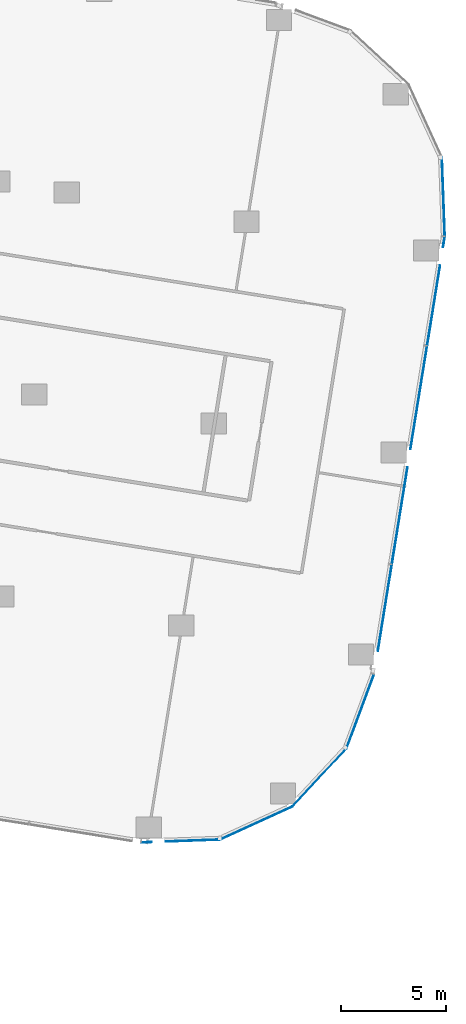
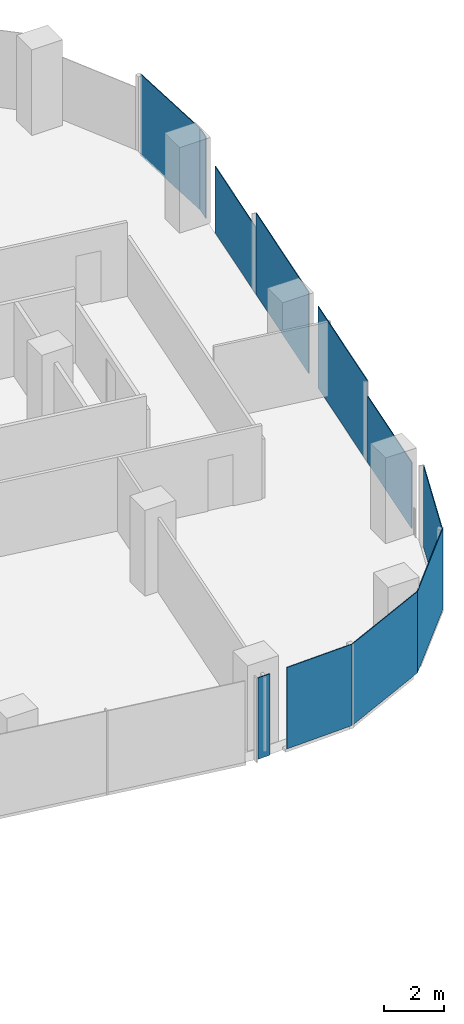
# One storey, part 22 of 34: 11 plates, 6 elements without a shape of their own.
"""IFC4 building model written with IfcOpenShell, lengths in metres."""

import ifcopenshell
import ifcopenshell.guid

model = None  # the IFC model being written
_history = None  # IfcOwnerHistory: only IFC2X3 demands one
_inside = {}  # id of a spatial element -> (the spatial element, [elements in it])
_under = {}  # id of a project, library or spatial element -> (it, [spatial elements below it])
_declared = {}  # id of a project -> (the project, [libraries it declares])
_typed = {}  # id of a type object -> (the type object, [elements of that type])
_made_of = {}  # id of a material, layer set ... -> (it, [elements and type objects made of it])


def new_model(schema):
    """Start an empty IFC model of exactly this schema.

    Asked for "IFC4X3", IfcOpenShell would pick the latest addendum, in which some entities
    have other attributes; the version numbers below select the first issue.
    IFC2X3 requires an IfcOwnerHistory on every rooted entity: one is made here for all.
    """
    global model, _history
    if schema == "IFC4X3":
        model = ifcopenshell.file(schema_version=(4, 3, 0, 0))
    else:
        model = ifcopenshell.file(schema=schema)
    _inside.clear()
    _under.clear()
    _declared.clear()
    _typed.clear()
    _made_of.clear()
    _history = None
    if model.schema == "IFC2X3":
        org = make("IfcOrganization", Name="unknown")
        user = make(
            "IfcPersonAndOrganization",
            ThePerson=make("IfcPerson", FamilyName="unknown"),
            TheOrganization=org,
        )
        app = make(
            "IfcApplication",
            ApplicationDeveloper=org,
            Version="unknown",
            ApplicationFullName="unknown",
            ApplicationIdentifier="unknown",
        )
        _history = make(
            "IfcOwnerHistory",
            OwningUser=user,
            OwningApplication=app,
            ChangeAction="ADDED",
            CreationDate=0,
        )
    return model


def make(cls, **values):
    """One entity of the class cls with the attributes given. An attribute that is None is left unset."""
    return model.create_entity(
        cls, **{name: value for name, value in values.items() if value is not None}
    )


def rooted(cls, **values):
    """An entity with a GlobalId (a new one), such as an element, a storey or a relation."""
    return make(cls, GlobalId=ifcopenshell.guid.new(), OwnerHistory=_history, **values)


def si_unit(unit_type, name, prefix=None):
    """IfcSIUnit, for example si_unit("LENGTHUNIT", "METRE", prefix="MILLI")."""
    return make("IfcSIUnit", UnitType=unit_type, Prefix=prefix, Name=name)


def assignment(units):
    """IfcUnitAssignment: the units of a project."""
    return None if units is None else make("IfcUnitAssignment", Units=units)


def point(xyz):
    """IfcCartesianPoint."""
    return None if xyz is None else make("IfcCartesianPoint", Coordinates=xyz)


def direction(xyz):
    """IfcDirection."""
    return None if xyz is None else make("IfcDirection", DirectionRatios=xyz)


def frame(location, z_axis=None, x_axis=None):
    """IfcAxis2Placement3D, a coordinate frame: its origin and axes. An axis left out is left unset."""
    return make(
        "IfcAxis2Placement3D",
        Location=point(location),
        Axis=direction(z_axis),
        RefDirection=direction(x_axis),
    )


def frame_2d(location, x_axis=None):
    """IfcAxis2Placement2D, a coordinate frame in the plane: its origin and x axis."""
    return make(
        "IfcAxis2Placement2D", Location=point(location), RefDirection=direction(x_axis)
    )


def origin():
    """The frame at (0, 0, 0) with its axes left unset."""
    return frame((0.0, 0.0, 0.0))


def origin_2d():
    """The frame at (0, 0) in the plane with its x axis left unset."""
    return frame_2d((0.0, 0.0))


def place(relative_to, where):
    """IfcLocalPlacement: puts the frame where relative to a parent placement (None: the world)."""
    return make(
        "IfcLocalPlacement", PlacementRelTo=relative_to, RelativePlacement=where
    )


def context(
    kind, dimensions, precision=None, world=None, true_north=None, identifier=None
):
    """IfcGeometricRepresentationContext, for example the 3D "Model" context."""
    return make(
        "IfcGeometricRepresentationContext",
        ContextIdentifier=identifier,
        ContextType=kind,
        CoordinateSpaceDimension=dimensions,
        Precision=precision,
        WorldCoordinateSystem=world,
        TrueNorth=true_north,
    )


def subcontext(parent, identifier, kind, view, scale=None):
    """IfcGeometricRepresentationSubContext, for example "Body" below "Model"."""
    return make(
        "IfcGeometricRepresentationSubContext",
        ContextIdentifier=identifier,
        ContextType=kind,
        ParentContext=parent,
        TargetScale=scale,
        TargetView=view,
    )


def project(units=None, contexts=None):
    """IfcProject with its units and contexts."""
    return rooted(
        "IfcProject",
        Name="project",
        RepresentationContexts=contexts,
        UnitsInContext=assignment(units),
    )


def spatial(cls, under=None, at=None, **own):
    """A site, building, storey or space (cls), placed at a placement, below another one or the project."""
    s = rooted(cls, ObjectPlacement=at, **own)
    if under is not None:
        _under.setdefault(under.id(), (under, []))[1].append(s)
    return s


def profile(cls, at=None, kind="AREA", **sizes):
    """A parametric profile (cls). Its sizes go by their IFC names, for example OverallWidth=200.0."""
    return make(cls, ProfileType=kind, Position=at, **sizes)


def rectangle(**sizes):
    """IfcRectangleProfileDef."""
    return profile("IfcRectangleProfileDef", **sizes)


def extrude(swept, where, along, depth):
    """IfcExtrudedAreaSolid: the profile swept, set in the frame where, extruded along a direction by depth."""
    return make(
        "IfcExtrudedAreaSolid",
        SweptArea=swept,
        Position=where,
        ExtrudedDirection=direction(along),
        Depth=depth,
    )


def shape(context_of_items, identifier, shape_type, items):
    """IfcShapeRepresentation: the items that make up one representation, for example the "Body"."""
    return make(
        "IfcShapeRepresentation",
        ContextOfItems=context_of_items,
        RepresentationIdentifier=identifier,
        RepresentationType=shape_type,
        Items=items,
    )


def material(Name=None, Category=None):
    """IfcMaterial."""
    return make("IfcMaterial", Name=Name, Category=Category)


def layer(
    of_material, thickness, ventilated=None, Name=None, Category=None, Priority=None
):
    """IfcMaterialLayer: one layer of a wall or slab, of a material (None: an air gap)."""
    return make(
        "IfcMaterialLayer",
        Material=of_material,
        LayerThickness=thickness,
        IsVentilated=ventilated,
        Name=Name,
        Category=Category,
        Priority=Priority,
    )


def layer_set(layers, Name=None):
    """IfcMaterialLayerSet."""
    return make("IfcMaterialLayerSet", MaterialLayers=layers, LayerSetName=Name)


def made_of(thing, what):
    """Note that an element or type object is made of a material, layer set ...; save() writes the relation."""
    if what is not None:
        _made_of.setdefault(what.id(), (what, []))[1].append(thing)
    return thing


def type_object(cls, material=None, **own):
    """A type object (cls), such as IfcWallType, which elements share."""
    return made_of(rooted(cls, **own), material)


def element(
    cls,
    number,
    at=None,
    inside=None,
    cuts=None,
    type_object=None,
    material=None,
    context=None,
    identifier="Body",
    shape_type=None,
    held_by="IfcProductDefinitionShape",
    body=None,
    shapes=None,
    **own,
):
    """One element of the class cls, such as IfcWall. Its Tag is "e" and its number.

    at: its placement. inside: the storey or other place that contains it. cuts: it is an
    opening in that element (IfcRelVoidsElement). A single representation is given by context,
    identifier, shape_type and body (its items); several are given by shapes. held_by: the class
    of the entity that holds the representations. save() writes the other relations.
    """
    e = rooted(cls, Tag="e%d" % number, ObjectPlacement=at, **own)
    if body is not None:
        shapes = [shape(context, identifier, shape_type, body)]
    if shapes is not None:
        e.Representation = make(held_by, Representations=shapes)
    if inside is not None:
        _inside.setdefault(inside.id(), (inside, []))[1].append(e)
    if cuts is not None:
        rooted(
            "IfcRelVoidsElement", RelatingBuildingElement=cuts, RelatedOpeningElement=e
        )
    if type_object is not None:
        _typed.setdefault(type_object.id(), (type_object, []))[1].append(e)
    return made_of(e, material)


def aggregate(whole, parts):
    """IfcRelAggregates: a whole, such as a stair, and the parts it consists of."""
    return rooted("IfcRelAggregates", RelatingObject=whole, RelatedObjects=parts)


def save(model, path):
    """Write the relations noted so far, then the file.

    IfcRelAggregates (storeys below a building ...), IfcRelContainedInSpatialStructure (elements
    in a storey), IfcRelDefinesByType, IfcRelAssociatesMaterial and IfcRelDeclares: one each for
    every whole, place, type object, material and project.
    """
    for whole, parts in _under.values():
        aggregate(whole, parts)
    for where, things in _inside.values():
        rooted(
            "IfcRelContainedInSpatialStructure",
            RelatedElements=things,
            RelatingStructure=where,
        )
    for kind, things in _typed.values():
        rooted("IfcRelDefinesByType", RelatedObjects=things, RelatingType=kind)
    for what, things in _made_of.values():
        rooted("IfcRelAssociatesMaterial", RelatedObjects=things, RelatingMaterial=what)
    for by, libraries in _declared.values():
        rooted("IfcRelDeclares", RelatingContext=by, RelatedDefinitions=libraries)
    model.write(path)


model = new_model("IFC4")

# Units and contexts
model_context = context("Model", 3, precision=1e-05, world=origin(), true_north=direction((0.0, 1.0)))
body_context = subcontext(model_context, "Body", "Model", "MODEL_VIEW")
ifc_project = project(units=[si_unit("LENGTHUNIT", "METRE"), si_unit("AREAUNIT", "SQUARE_METRE"), si_unit("VOLUMEUNIT", "CUBIC_METRE"), si_unit("PLANEANGLEUNIT", "RADIAN"), si_unit("MASSUNIT", "GRAM", prefix="KILO")], contexts=[model_context])

# Site, building, storey
site_placement = place(None, origin())
site = spatial("IfcSite", under=ifc_project, at=site_placement, CompositionType="ELEMENT")
building_placement = place(site_placement, origin())
building = spatial("IfcBuilding", under=site, at=building_placement, Name="Orlundy Tower", CompositionType="ELEMENT")
storey_placement = place(building_placement, frame((0.0, 0.0, 137.699951171875)))
storey = spatial("IfcBuildingStorey", under=building, at=storey_placement, Name="L35", CompositionType="ELEMENT", Elevation=137.699951171875)

# Curtain wall, plate
ifc_material_1 = material(Name="Aluminium bronze anodised", Category="aluminium")
curtain_wall_type = type_object("IfcCurtainWallType", Name="CW1 wall", PredefinedType="NOTDEFINED", material=ifc_material_1)
curtain_wall_1_placement = place(storey_placement, origin())
curtain_wall_1 = element("IfcCurtainWall", 1, at=curtain_wall_1_placement, inside=storey, type_object=curtain_wall_type, Name="CW1 run 010", PredefinedType="NOTDEFINED")
ifc_material_2 = material(Name="Tinted glass", Category="glass")
ifc_layer = layer(ifc_material_2, 0.031982421875)
ifc_layer_set = layer_set([ifc_layer], Name="CW1 glass panel 32")
plate_type = type_object("IfcPlateType", Name="CW1 glass panel 32", PredefinedType="CURTAIN_PANEL", material=ifc_layer_set)
plate_1_placement = place(storey_placement, frame((60.508544921875, 2.765625, -0.280029296875), z_axis=(0.0, 0.0, 1.0), x_axis=(0.036422900353, -0.999336466026, 0.0)))
plate_1 = element("IfcPlate", 2, at=plate_1_placement, type_object=plate_type, Name="CW1 panel", PredefinedType="CURTAIN_PANEL", context=body_context, shape_type="SweptSolid", body=[
    extrude(rectangle(XDim=3.730224609375, YDim=0.031982421875, at=origin_2d()), origin(), (0.0, 0.0, 1.0), 3.330078125),
])
aggregate(curtain_wall_1, [plate_1])

# Curtain wall, plates
curtain_wall_2_placement = place(storey_placement, origin())
curtain_wall_2 = element("IfcCurtainWall", 3, at=curtain_wall_2_placement, inside=storey, type_object=curtain_wall_type, Name="CW1 run 011", PredefinedType="NOTDEFINED")
plate_2_placement = place(storey_placement, frame((60.533203125, 0.602783203125, -0.280029296875), z_axis=(0.0, 0.0, 1.0), x_axis=(-0.159331248677, -0.987225178566, 0.0)))
plate_2 = element("IfcPlate", 4, at=plate_2_placement, type_object=plate_type, Name="CW1 panel", PredefinedType="CURTAIN_PANEL", context=body_context, shape_type="SweptSolid", body=[
    extrude(rectangle(XDim=0.505126953125, YDim=0.031982421875, at=origin_2d()), origin(), (0.0, 0.0, 1.0), 3.330078125),
])
plate_3_placement = place(storey_placement, frame((60.04833984375, -2.40234375, -0.280029296875), z_axis=(0.0, 0.0, 1.0), x_axis=(-0.159331248677, -0.987225178566, 0.0)))
plate_3 = element("IfcPlate", 5, at=plate_3_placement, type_object=plate_type, Name="CW1 panel", PredefinedType="CURTAIN_PANEL", context=body_context, shape_type="SweptSolid", body=[
    extrude(rectangle(XDim=3.839599609375, YDim=0.031982421875, at=origin_2d()), origin(), (0.0, 0.0, 1.0), 2.7138671875),
])
plate_4_placement = place(storey_placement, frame((59.34130859375, -6.783203125, -0.280029296875), z_axis=(0.0, 0.0, 1.0), x_axis=(-0.159331248677, -0.987225178566, 0.0)))
plate_4 = element("IfcPlate", 6, at=plate_4_placement, type_object=plate_type, Name="CW1 panel", PredefinedType="CURTAIN_PANEL", context=body_context, shape_type="SweptSolid", body=[
    extrude(rectangle(XDim=4.935791015625, YDim=0.031982421875, at=origin_2d()), origin(), (0.0, 0.0, 1.0), 3.330078125),
])
plate_5_placement = place(storey_placement, frame((58.43896484375, -12.373291015625, -0.280029296875), z_axis=(0.0, 0.0, 1.0), x_axis=(-0.159331248677, -0.987225178566, 0.0)))
plate_5 = element("IfcPlate", 7, at=plate_5_placement, type_object=plate_type, Name="CW1 panel", PredefinedType="CURTAIN_PANEL", context=body_context, shape_type="SweptSolid", body=[
    extrude(rectangle(XDim=4.6396484375, YDim=0.031982421875, at=origin_2d()), origin(), (0.0, 0.0, 1.0), 3.330078125),
])
plate_6_placement = place(storey_placement, frame((57.732177734375, -16.752685546875, -0.280029296875), z_axis=(0.0, 0.0, 1.0), x_axis=(-0.159331248677, -0.987225178566, 0.0)))
plate_6 = element("IfcPlate", 8, at=plate_6_placement, type_object=plate_type, Name="CW1 panel", PredefinedType="CURTAIN_PANEL", context=body_context, shape_type="SweptSolid", body=[
    extrude(rectangle(XDim=4.13232421875, YDim=0.031982421875, at=origin_2d()), origin(), (0.0, 0.0, 1.0), 2.7138671875),
])
aggregate(curtain_wall_2, [plate_2, plate_3, plate_4, plate_5, plate_6])

# Curtain wall, plate
curtain_wall_3_placement = place(storey_placement, origin())
curtain_wall_3 = element("IfcCurtainWall", 9, at=curtain_wall_3_placement, inside=storey, type_object=curtain_wall_type, Name="CW1 run 012", PredefinedType="NOTDEFINED")
plate_7_placement = place(storey_placement, frame((56.56689453125, -21.65869140625, -0.280029296875), z_axis=(0.0, 0.0, 1.0), x_axis=(-0.348816372674, -0.937191089455, 0.0)))
plate_7 = element("IfcPlate", 10, at=plate_7_placement, type_object=plate_type, Name="CW1 panel", PredefinedType="CURTAIN_PANEL", context=body_context, shape_type="SweptSolid", body=[
    extrude(rectangle(XDim=3.73046875, YDim=0.031982421875, at=origin_2d()), origin(), (0.0, 0.0, 1.0), 3.330078125),
])
aggregate(curtain_wall_3, [plate_7])

curtain_wall_4_placement = place(storey_placement, origin())
curtain_wall_4 = element("IfcCurtainWall", 11, at=curtain_wall_4_placement, inside=storey, type_object=curtain_wall_type, Name="CW1 run 013", PredefinedType="NOTDEFINED")
plate_8_placement = place(storey_placement, frame((54.632080078125, -24.78759765625, -0.280029296875), z_axis=(0.0, 0.0, 1.0), x_axis=(-0.681009748469, -0.732274349196, 0.0)))
plate_8 = element("IfcPlate", 12, at=plate_8_placement, type_object=plate_type, Name="CW1 panel", PredefinedType="CURTAIN_PANEL", context=body_context, shape_type="SweptSolid", body=[
    extrude(rectangle(XDim=3.771484375, YDim=0.031982421875, at=origin_2d()), origin(), (0.0, 0.0, 1.0), 3.330078125),
])
aggregate(curtain_wall_4, [plate_8])

curtain_wall_5_placement = place(storey_placement, origin())
curtain_wall_5 = element("IfcCurtainWall", 13, at=curtain_wall_5_placement, inside=storey, type_object=curtain_wall_type, Name="CW1 run 014", PredefinedType="NOTDEFINED")
plate_9_placement = place(storey_placement, frame((51.63330078125, -26.953125, -0.280029296875), z_axis=(0.0, 0.0, 1.0), x_axis=(-0.909328663876, -0.416078575575, 0.0)))
plate_9 = element("IfcPlate", 14, at=plate_9_placement, type_object=plate_type, Name="CW1 panel", PredefinedType="CURTAIN_PANEL", context=body_context, shape_type="SweptSolid", body=[
    extrude(rectangle(XDim=3.771240234375, YDim=0.031982421875, at=origin_2d()), origin(), (0.0, 0.0, 1.0), 3.330078125),
])
aggregate(curtain_wall_5, [plate_9])

# Curtain wall, plates
curtain_wall_6_placement = place(storey_placement, origin())
curtain_wall_6 = element("IfcCurtainWall", 15, at=curtain_wall_6_placement, inside=storey, type_object=curtain_wall_type, Name="CW1 run 015", PredefinedType="NOTDEFINED")
plate_10_placement = place(storey_placement, frame((48.626708984375, -27.78466796875, -0.280029296875), z_axis=(0.0, 0.0, 1.0), x_axis=(-0.999336823804, -0.036413082656, 0.0)))
plate_10 = element("IfcPlate", 16, at=plate_10_placement, type_object=plate_type, Name="CW1 panel", PredefinedType="CURTAIN_PANEL", context=body_context, shape_type="SweptSolid", body=[
    extrude(rectangle(XDim=2.585205078125, YDim=0.031982421875, at=origin_2d()), origin(), (0.0, 0.0, 1.0), 3.330078125),
])
plate_11_placement = place(storey_placement, frame((46.430908203125, -27.86474609375, -0.280029296875), z_axis=(0.0, 0.0, 1.0), x_axis=(-0.999336823804, -0.036413082656, 0.0)))
plate_11 = element("IfcPlate", 17, at=plate_11_placement, type_object=plate_type, Name="CW1 panel", PredefinedType="CURTAIN_PANEL", context=body_context, shape_type="SweptSolid", body=[
    extrude(rectangle(XDim=0.482421875, YDim=0.031982421875, at=origin_2d()), origin(), (0.0, 0.0, 1.0), 3.330078125),
])
aggregate(curtain_wall_6, [plate_10, plate_11])

save(model, "model.ifc")
